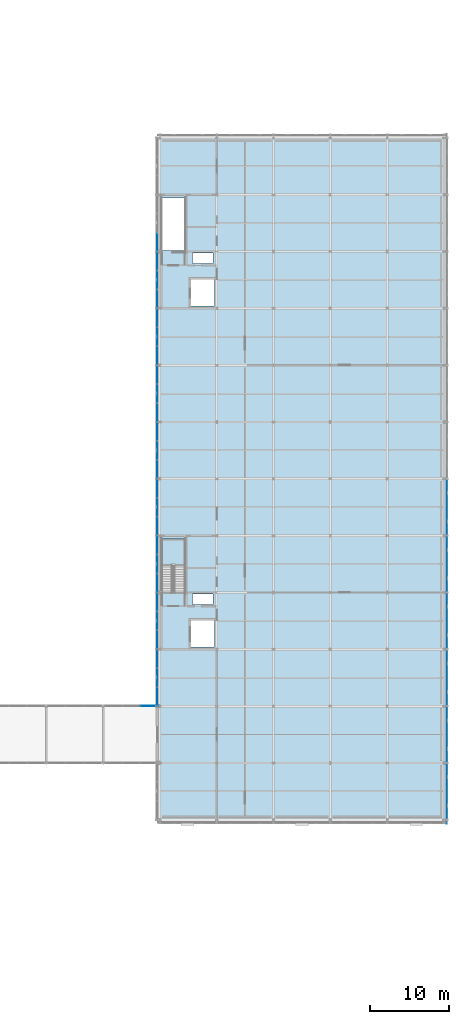
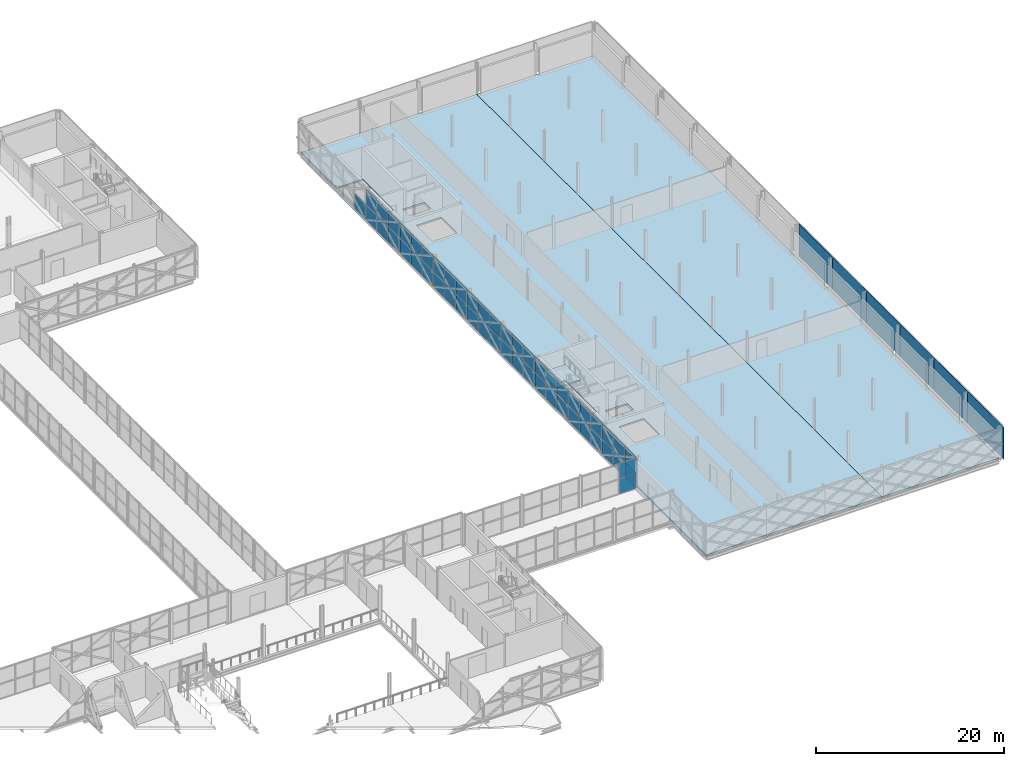
# One storey, part 95 of 146: 57 plates, 3 slabs, 11 elements without a shape of their own.
"""IFC4 building model written with IfcOpenShell, lengths in metres."""

from ifc_helpers import new_model, si_unit, direction, frame, origin, origin_2d, place, context, subcontext, project, spatial, polyline, rectangle, outline, extrude, material, layer, layer_set, type_object, element, aggregate, save


model = new_model("IFC4")

# Units and contexts
model_context = context("Model", 3, precision=1e-05, world=origin(), true_north=direction((0.0, 1.0)))
body_context = subcontext(model_context, "Body", "Model", "MODEL_VIEW")
ifc_project = project(units=[si_unit("LENGTHUNIT", "METRE"), si_unit("AREAUNIT", "SQUARE_METRE"), si_unit("VOLUMEUNIT", "CUBIC_METRE"), si_unit("PLANEANGLEUNIT", "RADIAN"), si_unit("MASSUNIT", "GRAM", prefix="KILO")], contexts=[model_context])

# Site, building, storey
site_placement = place(None, origin())
site = spatial("IfcSite", under=ifc_project, at=site_placement, CompositionType="ELEMENT")
building_placement = place(site_placement, origin())
building = spatial("IfcBuilding", under=site, at=building_placement, Name="Zlatovets Crest Museum", CompositionType="ELEMENT")
storey_placement = place(building_placement, frame((0.0, 0.0, 4.5)))
storey = spatial("IfcBuildingStorey", under=building, at=storey_placement, Name="L01", CompositionType="ELEMENT", Elevation=4.5)

# Curtain wall, plates
ifc_material_1 = material(Name="Bronze-anodised aluminium and low-E triple glass", Category="aluminium")
curtain_wall_type_1 = type_object("IfcCurtainWallType", Name="CW_CW-BR4-L01-S69", PredefinedType="NOTDEFINED", material=ifc_material_1)
curtain_wall_1_placement = place(storey_placement, origin())
curtain_wall_1 = element("IfcCurtainWall", 1, at=curtain_wall_1_placement, inside=storey, type_object=curtain_wall_type_1, Name="Southeast Archive Glazed Link Bridge L01 Glazed Bridge Curtain Wall", PredefinedType="NOTDEFINED")
ifc_material_2 = material(Name="Solar-control low-E laminated triple glass", Category="glass")
ifc_layer_1 = layer(ifc_material_2, 0.030029296875)
ifc_layer_set_1 = layer_set([ifc_layer_1], Name="Solar-control low-E laminated triple glass")
plate_type_1 = type_object("IfcPlateType", Name="CWPanel_CW-BR4-L01-S69", PredefinedType="CURTAIN_PANEL", material=ifc_layer_set_1)
plate_1_placement = place(storey_placement, frame((128.284912109375, 28.800048828125, 0.06005859375), z_axis=(0.0, 0.0, 1.0), x_axis=(1.0, 0.0, 0.0)))
plate_1 = element("IfcPlate", 2, at=plate_1_placement, type_object=plate_type_1, Name="CW-BR4-L01-S69 panel 3.1", PredefinedType="CURTAIN_PANEL", context=body_context, shape_type="SweptSolid", body=[
    extrude(rectangle(XDim=2.2099609375, YDim=0.030029296875, at=origin_2d()), origin(), (0.0, 0.0, 1.0), 1.89990234375),
])
plate_2_placement = place(storey_placement, frame((128.284912109375, 28.800048828125, 2.02001953125), z_axis=(0.0, 0.0, 1.0), x_axis=(1.0, 0.0, 0.0)))
plate_2 = element("IfcPlate", 3, at=plate_2_placement, type_object=plate_type_1, Name="CW-BR4-L01-S69 panel 3.2", PredefinedType="CURTAIN_PANEL", context=body_context, shape_type="SweptSolid", body=[
    extrude(rectangle(XDim=2.2099609375, YDim=0.030029296875, at=origin_2d()), origin(), (0.0, 0.0, 1.0), 1.89990234375),
])
aggregate(curtain_wall_1, [plate_1, plate_2])

curtain_wall_type_2 = type_object("IfcCurtainWallType", Name="CW_CW-V5-L01-M0", PredefinedType="NOTDEFINED", material=ifc_material_1)
curtain_wall_2_placement = place(storey_placement, origin())
curtain_wall_2 = element("IfcCurtainWall", 4, at=curtain_wall_2_placement, inside=storey, type_object=curtain_wall_type_2, Name="V5 L01 Expressed Core Glazed Facade", PredefinedType="NOTDEFINED")
ifc_layer_2 = layer(ifc_material_2, 0.030029296875)
ifc_layer_set_2 = layer_set([ifc_layer_2], Name="Solar-control low-E laminated triple glass")
plate_type_2 = type_object("IfcPlateType", Name="CWPanel_CW-V5-L01-M0", PredefinedType="CURTAIN_PANEL", material=ifc_layer_set_2)
plate_3_placement = place(storey_placement, frame((129.260009765625, 85.18505859375, 0.06005859375), z_axis=(0.0, 0.0, 1.0), x_axis=(0.0, -1.0, 0.0)))
plate_3 = element("IfcPlate", 5, at=plate_3_placement, type_object=plate_type_2, Name="CW-V5-L01-M0 panel 1.1", PredefinedType="CURTAIN_PANEL", context=body_context, shape_type="SweptSolid", body=[
    extrude(rectangle(XDim=2.31005859375, YDim=0.030029296875, at=origin_2d()), origin(), (0.0, 0.0, 1.0), 2.010009765625),
])
plate_4_placement = place(storey_placement, frame((129.260009765625, 85.18505859375, 2.1298828125), z_axis=(0.0, 0.0, 1.0), x_axis=(0.0, -1.0, 0.0)))
plate_4 = element("IfcPlate", 6, at=plate_4_placement, type_object=plate_type_2, Name="CW-V5-L01-M0 panel 1.2", PredefinedType="CURTAIN_PANEL", context=body_context, shape_type="SweptSolid", body=[
    extrude(rectangle(XDim=2.31005859375, YDim=0.030029296875, at=origin_2d()), origin(), (0.0, 0.0, 1.0), 2.010009765625),
])
plate_5_placement = place(storey_placement, frame((129.260009765625, 82.800048828125, 0.06005859375), z_axis=(0.0, 0.0, 1.0), x_axis=(0.0, -1.0, 0.0)))
plate_5 = element("IfcPlate", 7, at=plate_5_placement, type_object=plate_type_2, Name="CW-V5-L01-M0 panel 2.1", PredefinedType="CURTAIN_PANEL", context=body_context, shape_type="SweptSolid", body=[
    extrude(rectangle(XDim=2.340087890625, YDim=0.030029296875, at=origin_2d()), origin(), (0.0, 0.0, 1.0), 2.010009765625),
])
plate_6_placement = place(storey_placement, frame((129.260009765625, 82.800048828125, 2.1298828125), z_axis=(0.0, 0.0, 1.0), x_axis=(0.0, -1.0, 0.0)))
plate_6 = element("IfcPlate", 8, at=plate_6_placement, type_object=plate_type_2, Name="CW-V5-L01-M0 panel 2.2", PredefinedType="CURTAIN_PANEL", context=body_context, shape_type="SweptSolid", body=[
    extrude(rectangle(XDim=2.340087890625, YDim=0.030029296875, at=origin_2d()), origin(), (0.0, 0.0, 1.0), 2.010009765625),
])
plate_7_placement = place(storey_placement, frame((129.260009765625, 80.4150390625, 0.06005859375), z_axis=(0.0, 0.0, 1.0), x_axis=(0.0, -1.0, 0.0)))
plate_7 = element("IfcPlate", 9, at=plate_7_placement, type_object=plate_type_2, Name="CW-V5-L01-M0 panel 3.1", PredefinedType="CURTAIN_PANEL", context=body_context, shape_type="SweptSolid", body=[
    extrude(rectangle(XDim=2.31005859375, YDim=0.030029296875, at=origin_2d()), origin(), (0.0, 0.0, 1.0), 2.010009765625),
])
plate_8_placement = place(storey_placement, frame((129.260009765625, 80.4150390625, 2.1298828125), z_axis=(0.0, 0.0, 1.0), x_axis=(0.0, -1.0, 0.0)))
plate_8 = element("IfcPlate", 10, at=plate_8_placement, type_object=plate_type_2, Name="CW-V5-L01-M0 panel 3.2", PredefinedType="CURTAIN_PANEL", context=body_context, shape_type="SweptSolid", body=[
    extrude(rectangle(XDim=2.31005859375, YDim=0.030029296875, at=origin_2d()), origin(), (0.0, 0.0, 1.0), 2.010009765625),
])
aggregate(curtain_wall_2, [plate_3, plate_4, plate_5, plate_6, plate_7, plate_8])

curtain_wall_3_placement = place(storey_placement, origin())
curtain_wall_3 = element("IfcCurtainWall", 11, at=curtain_wall_3_placement, inside=storey, type_object=curtain_wall_type_2, Name="V5 L01 Secession Foyer Clear Curtain Wall", PredefinedType="NOTDEFINED")
plate_9_placement = place(storey_placement, frame((129.260009765625, 56.385009765625, 0.06005859375), z_axis=(0.0, 0.0, 1.0), x_axis=(0.0, -1.0, 0.0)))
plate_9 = element("IfcPlate", 12, at=plate_9_placement, type_object=plate_type_2, Name="CW-V5-L01-M0 panel 1.1", PredefinedType="CURTAIN_PANEL", context=body_context, shape_type="SweptSolid", body=[
    extrude(rectangle(XDim=2.31005859375, YDim=0.028076171875, at=origin_2d()), origin(), (0.0, 0.0, 1.0), 2.010009765625),
])
plate_10_placement = place(storey_placement, frame((129.260009765625, 56.385009765625, 2.1298828125), z_axis=(0.0, 0.0, 1.0), x_axis=(0.0, -1.0, 0.0)))
plate_10 = element("IfcPlate", 13, at=plate_10_placement, type_object=plate_type_2, Name="CW-V5-L01-M0 panel 1.2", PredefinedType="CURTAIN_PANEL", context=body_context, shape_type="SweptSolid", body=[
    extrude(rectangle(XDim=2.31005859375, YDim=0.028076171875, at=origin_2d()), origin(), (0.0, 0.0, 1.0), 2.010009765625),
])
plate_11_placement = place(storey_placement, frame((129.260009765625, 54.0, 0.06005859375), z_axis=(0.0, 0.0, 1.0), x_axis=(0.0, -1.0, 0.0)))
plate_11 = element("IfcPlate", 14, at=plate_11_placement, type_object=plate_type_2, Name="CW-V5-L01-M0 panel 2.1", PredefinedType="CURTAIN_PANEL", context=body_context, shape_type="SweptSolid", body=[
    extrude(rectangle(XDim=2.340087890625, YDim=0.028076171875, at=origin_2d()), origin(), (0.0, 0.0, 1.0), 2.010009765625),
])
plate_12_placement = place(storey_placement, frame((129.260009765625, 54.0, 2.1298828125), z_axis=(0.0, 0.0, 1.0), x_axis=(0.0, -1.0, 0.0)))
plate_12 = element("IfcPlate", 15, at=plate_12_placement, type_object=plate_type_2, Name="CW-V5-L01-M0 panel 2.2", PredefinedType="CURTAIN_PANEL", context=body_context, shape_type="SweptSolid", body=[
    extrude(rectangle(XDim=2.340087890625, YDim=0.028076171875, at=origin_2d()), origin(), (0.0, 0.0, 1.0), 2.010009765625),
])
plate_13_placement = place(storey_placement, frame((129.260009765625, 51.614990234375, 0.06005859375), z_axis=(0.0, 0.0, 1.0), x_axis=(0.0, -1.0, 0.0)))
plate_13 = element("IfcPlate", 16, at=plate_13_placement, type_object=plate_type_2, Name="CW-V5-L01-M0 panel 3.1", PredefinedType="CURTAIN_PANEL", context=body_context, shape_type="SweptSolid", body=[
    extrude(rectangle(XDim=2.31005859375, YDim=0.028076171875, at=origin_2d()), origin(), (0.0, 0.0, 1.0), 2.010009765625),
])
plate_14_placement = place(storey_placement, frame((129.260009765625, 51.614990234375, 2.1298828125), z_axis=(0.0, 0.0, 1.0), x_axis=(0.0, -1.0, 0.0)))
plate_14 = element("IfcPlate", 17, at=plate_14_placement, type_object=plate_type_2, Name="CW-V5-L01-M0 panel 3.2", PredefinedType="CURTAIN_PANEL", context=body_context, shape_type="SweptSolid", body=[
    extrude(rectangle(XDim=2.31005859375, YDim=0.028076171875, at=origin_2d()), origin(), (0.0, 0.0, 1.0), 2.010009765625),
])
aggregate(curtain_wall_3, [plate_9, plate_10, plate_11, plate_12, plate_13, plate_14])

curtain_wall_type_3 = type_object("IfcCurtainWallType", Name="CW_CW-V5-L01-M1", PredefinedType="NOTDEFINED", material=ifc_material_1)
curtain_wall_4_placement = place(storey_placement, origin())
curtain_wall_4 = element("IfcCurtainWall", 18, at=curtain_wall_4_placement, inside=storey, type_object=curtain_wall_type_3, Name="V5 L01 Secession Foyer Clear Curtain Wall", PredefinedType="NOTDEFINED")
ifc_layer_3 = layer(ifc_material_2, 0.031982421875)
ifc_layer_set_3 = layer_set([ifc_layer_3], Name="Solar-control low-E laminated triple glass")
plate_type_3 = type_object("IfcPlateType", Name="CWPanel_CW-V5-L01-M1", PredefinedType="CURTAIN_PANEL", material=ifc_layer_set_3)
plate_15_placement = place(storey_placement, frame((129.260009765625, 77.985107421875, 0.06005859375), z_axis=(0.0, 0.0, 1.0), x_axis=(0.0, -1.0, 0.0)))
plate_15 = element("IfcPlate", 19, at=plate_15_placement, type_object=plate_type_3, Name="CW-V5-L01-M1 panel 1.1", PredefinedType="CURTAIN_PANEL", context=body_context, shape_type="SweptSolid", body=[
    extrude(rectangle(XDim=2.31005859375, YDim=0.031982421875, at=origin_2d()), origin(), (0.0, 0.0, 1.0), 2.010009765625),
])
plate_16_placement = place(storey_placement, frame((129.260009765625, 77.985107421875, 2.1298828125), z_axis=(0.0, 0.0, 1.0), x_axis=(0.0, -1.0, 0.0)))
plate_16 = element("IfcPlate", 20, at=plate_16_placement, type_object=plate_type_3, Name="CW-V5-L01-M1 panel 1.2", PredefinedType="CURTAIN_PANEL", context=body_context, shape_type="SweptSolid", body=[
    extrude(rectangle(XDim=2.31005859375, YDim=0.031982421875, at=origin_2d()), origin(), (0.0, 0.0, 1.0), 2.010009765625),
])
plate_17_placement = place(storey_placement, frame((129.260009765625, 75.60009765625, 0.06005859375), z_axis=(0.0, 0.0, 1.0), x_axis=(0.0, -1.0, 0.0)))
plate_17 = element("IfcPlate", 21, at=plate_17_placement, type_object=plate_type_3, Name="CW-V5-L01-M1 panel 2.1", PredefinedType="CURTAIN_PANEL", context=body_context, shape_type="SweptSolid", body=[
    extrude(rectangle(XDim=2.340087890625, YDim=0.031982421875, at=origin_2d()), origin(), (0.0, 0.0, 1.0), 2.010009765625),
])
plate_18_placement = place(storey_placement, frame((129.260009765625, 75.60009765625, 2.1298828125), z_axis=(0.0, 0.0, 1.0), x_axis=(0.0, -1.0, 0.0)))
plate_18 = element("IfcPlate", 22, at=plate_18_placement, type_object=plate_type_3, Name="CW-V5-L01-M1 panel 2.2", PredefinedType="CURTAIN_PANEL", context=body_context, shape_type="SweptSolid", body=[
    extrude(rectangle(XDim=2.340087890625, YDim=0.031982421875, at=origin_2d()), origin(), (0.0, 0.0, 1.0), 2.010009765625),
])
plate_19_placement = place(storey_placement, frame((129.260009765625, 73.215087890625, 0.06005859375), z_axis=(0.0, 0.0, 1.0), x_axis=(0.0, -1.0, 0.0)))
plate_19 = element("IfcPlate", 23, at=plate_19_placement, type_object=plate_type_3, Name="CW-V5-L01-M1 panel 3.1", PredefinedType="CURTAIN_PANEL", context=body_context, shape_type="SweptSolid", body=[
    extrude(rectangle(XDim=2.31005859375, YDim=0.031982421875, at=origin_2d()), origin(), (0.0, 0.0, 1.0), 2.010009765625),
])
plate_20_placement = place(storey_placement, frame((129.260009765625, 73.215087890625, 2.1298828125), z_axis=(0.0, 0.0, 1.0), x_axis=(0.0, -1.0, 0.0)))
plate_20 = element("IfcPlate", 24, at=plate_20_placement, type_object=plate_type_3, Name="CW-V5-L01-M1 panel 3.2", PredefinedType="CURTAIN_PANEL", context=body_context, shape_type="SweptSolid", body=[
    extrude(rectangle(XDim=2.31005859375, YDim=0.031982421875, at=origin_2d()), origin(), (0.0, 0.0, 1.0), 2.010009765625),
])
aggregate(curtain_wall_4, [plate_15, plate_16, plate_17, plate_18, plate_19, plate_20])

curtain_wall_5_placement = place(storey_placement, origin())
curtain_wall_5 = element("IfcCurtainWall", 25, at=curtain_wall_5_placement, inside=storey, type_object=curtain_wall_type_3, Name="V5 L01 Expressed Core Glazed Facade", PredefinedType="NOTDEFINED")
plate_21_placement = place(storey_placement, frame((129.260009765625, 49.18505859375, 0.06005859375), z_axis=(0.0, 0.0, 1.0), x_axis=(0.0, -1.0, 0.0)))
plate_21 = element("IfcPlate", 26, at=plate_21_placement, type_object=plate_type_3, Name="CW-V5-L01-M1 panel 1.1", PredefinedType="CURTAIN_PANEL", context=body_context, shape_type="SweptSolid", body=[
    extrude(rectangle(XDim=2.31005859375, YDim=0.030029296875, at=origin_2d()), origin(), (0.0, 0.0, 1.0), 2.010009765625),
])
plate_22_placement = place(storey_placement, frame((129.260009765625, 49.18505859375, 2.1298828125), z_axis=(0.0, 0.0, 1.0), x_axis=(0.0, -1.0, 0.0)))
plate_22 = element("IfcPlate", 27, at=plate_22_placement, type_object=plate_type_3, Name="CW-V5-L01-M1 panel 1.2", PredefinedType="CURTAIN_PANEL", context=body_context, shape_type="SweptSolid", body=[
    extrude(rectangle(XDim=2.31005859375, YDim=0.030029296875, at=origin_2d()), origin(), (0.0, 0.0, 1.0), 2.010009765625),
])
plate_23_placement = place(storey_placement, frame((129.260009765625, 46.800048828125, 0.06005859375), z_axis=(0.0, 0.0, 1.0), x_axis=(0.0, -1.0, 0.0)))
plate_23 = element("IfcPlate", 28, at=plate_23_placement, type_object=plate_type_3, Name="CW-V5-L01-M1 panel 2.1", PredefinedType="CURTAIN_PANEL", context=body_context, shape_type="SweptSolid", body=[
    extrude(rectangle(XDim=2.340087890625, YDim=0.030029296875, at=origin_2d()), origin(), (0.0, 0.0, 1.0), 2.010009765625),
])
plate_24_placement = place(storey_placement, frame((129.260009765625, 46.800048828125, 2.1298828125), z_axis=(0.0, 0.0, 1.0), x_axis=(0.0, -1.0, 0.0)))
plate_24 = element("IfcPlate", 29, at=plate_24_placement, type_object=plate_type_3, Name="CW-V5-L01-M1 panel 2.2", PredefinedType="CURTAIN_PANEL", context=body_context, shape_type="SweptSolid", body=[
    extrude(rectangle(XDim=2.340087890625, YDim=0.030029296875, at=origin_2d()), origin(), (0.0, 0.0, 1.0), 2.010009765625),
])
plate_25_placement = place(storey_placement, frame((129.260009765625, 44.4150390625, 0.06005859375), z_axis=(0.0, 0.0, 1.0), x_axis=(0.0, -1.0, 0.0)))
plate_25 = element("IfcPlate", 30, at=plate_25_placement, type_object=plate_type_3, Name="CW-V5-L01-M1 panel 3.1", PredefinedType="CURTAIN_PANEL", context=body_context, shape_type="SweptSolid", body=[
    extrude(rectangle(XDim=2.31005859375, YDim=0.030029296875, at=origin_2d()), origin(), (0.0, 0.0, 1.0), 2.010009765625),
])
plate_26_placement = place(storey_placement, frame((129.260009765625, 44.4150390625, 2.1298828125), z_axis=(0.0, 0.0, 1.0), x_axis=(0.0, -1.0, 0.0)))
plate_26 = element("IfcPlate", 31, at=plate_26_placement, type_object=plate_type_3, Name="CW-V5-L01-M1 panel 3.2", PredefinedType="CURTAIN_PANEL", context=body_context, shape_type="SweptSolid", body=[
    extrude(rectangle(XDim=2.31005859375, YDim=0.030029296875, at=origin_2d()), origin(), (0.0, 0.0, 1.0), 2.010009765625),
])
aggregate(curtain_wall_5, [plate_21, plate_22, plate_23, plate_24, plate_25, plate_26])

curtain_wall_type_4 = type_object("IfcCurtainWallType", Name="CW_CW-V5-L01-M2", PredefinedType="NOTDEFINED", material=ifc_material_1)
curtain_wall_6_placement = place(storey_placement, origin())
curtain_wall_6 = element("IfcCurtainWall", 32, at=curtain_wall_6_placement, inside=storey, type_object=curtain_wall_type_4, Name="V5 L01 Secession Foyer Clear Curtain Wall", PredefinedType="NOTDEFINED")
ifc_layer_4 = layer(ifc_material_2, 0.035888671875)
ifc_layer_set_4 = layer_set([ifc_layer_4], Name="Solar-control low-E laminated triple glass")
plate_type_4 = type_object("IfcPlateType", Name="CWPanel_CW-V5-L01-M2", PredefinedType="CURTAIN_PANEL", material=ifc_layer_set_4)
plate_27_placement = place(storey_placement, frame((129.260009765625, 70.784912109375, 0.06005859375), z_axis=(0.0, 0.0, 1.0), x_axis=(0.0, -1.0, 0.0)))
plate_27 = element("IfcPlate", 33, at=plate_27_placement, type_object=plate_type_4, Name="CW-V5-L01-M2 panel 1.1", PredefinedType="CURTAIN_PANEL", context=body_context, shape_type="SweptSolid", body=[
    extrude(rectangle(XDim=2.31005859375, YDim=0.035888671875, at=origin_2d()), origin(), (0.0, 0.0, 1.0), 2.010009765625),
])
plate_28_placement = place(storey_placement, frame((129.260009765625, 70.784912109375, 2.1298828125), z_axis=(0.0, 0.0, 1.0), x_axis=(0.0, -1.0, 0.0)))
plate_28 = element("IfcPlate", 34, at=plate_28_placement, type_object=plate_type_4, Name="CW-V5-L01-M2 panel 1.2", PredefinedType="CURTAIN_PANEL", context=body_context, shape_type="SweptSolid", body=[
    extrude(rectangle(XDim=2.31005859375, YDim=0.035888671875, at=origin_2d()), origin(), (0.0, 0.0, 1.0), 2.010009765625),
])
plate_29_placement = place(storey_placement, frame((129.260009765625, 68.39990234375, 0.06005859375), z_axis=(0.0, 0.0, 1.0), x_axis=(0.0, -1.0, 0.0)))
plate_29 = element("IfcPlate", 35, at=plate_29_placement, type_object=plate_type_4, Name="CW-V5-L01-M2 panel 2.1", PredefinedType="CURTAIN_PANEL", context=body_context, shape_type="SweptSolid", body=[
    extrude(rectangle(XDim=2.340087890625, YDim=0.035888671875, at=origin_2d()), origin(), (0.0, 0.0, 1.0), 2.010009765625),
])
plate_30_placement = place(storey_placement, frame((129.260009765625, 68.39990234375, 2.1298828125), z_axis=(0.0, 0.0, 1.0), x_axis=(0.0, -1.0, 0.0)))
plate_30 = element("IfcPlate", 36, at=plate_30_placement, type_object=plate_type_4, Name="CW-V5-L01-M2 panel 2.2", PredefinedType="CURTAIN_PANEL", context=body_context, shape_type="SweptSolid", body=[
    extrude(rectangle(XDim=2.340087890625, YDim=0.035888671875, at=origin_2d()), origin(), (0.0, 0.0, 1.0), 2.010009765625),
])
plate_31_placement = place(storey_placement, frame((129.260009765625, 66.014892578125, 0.06005859375), z_axis=(0.0, 0.0, 1.0), x_axis=(0.0, -1.0, 0.0)))
plate_31 = element("IfcPlate", 37, at=plate_31_placement, type_object=plate_type_4, Name="CW-V5-L01-M2 panel 3.1", PredefinedType="CURTAIN_PANEL", context=body_context, shape_type="SweptSolid", body=[
    extrude(rectangle(XDim=2.31005859375, YDim=0.035888671875, at=origin_2d()), origin(), (0.0, 0.0, 1.0), 2.010009765625),
])
plate_32_placement = place(storey_placement, frame((129.260009765625, 66.014892578125, 2.1298828125), z_axis=(0.0, 0.0, 1.0), x_axis=(0.0, -1.0, 0.0)))
plate_32 = element("IfcPlate", 38, at=plate_32_placement, type_object=plate_type_4, Name="CW-V5-L01-M2 panel 3.2", PredefinedType="CURTAIN_PANEL", context=body_context, shape_type="SweptSolid", body=[
    extrude(rectangle(XDim=2.31005859375, YDim=0.035888671875, at=origin_2d()), origin(), (0.0, 0.0, 1.0), 2.010009765625),
])
aggregate(curtain_wall_6, [plate_27, plate_28, plate_29, plate_30, plate_31, plate_32])

curtain_wall_7_placement = place(storey_placement, origin())
curtain_wall_7 = element("IfcCurtainWall", 39, at=curtain_wall_7_placement, inside=storey, type_object=curtain_wall_type_4, Name="V5 L01 Expressed Core Glazed Facade", PredefinedType="NOTDEFINED")
plate_33_placement = place(storey_placement, frame((129.260009765625, 41.985107421875, 0.06005859375), z_axis=(0.0, 0.0, 1.0), x_axis=(0.0, -1.0, 0.0)))
plate_33 = element("IfcPlate", 40, at=plate_33_placement, type_object=plate_type_4, Name="CW-V5-L01-M2 panel 1.1", PredefinedType="CURTAIN_PANEL", context=body_context, shape_type="SweptSolid", body=[
    extrude(rectangle(XDim=2.31005859375, YDim=0.030029296875, at=origin_2d()), origin(), (0.0, 0.0, 1.0), 2.010009765625),
])
plate_34_placement = place(storey_placement, frame((129.260009765625, 41.985107421875, 2.1298828125), z_axis=(0.0, 0.0, 1.0), x_axis=(0.0, -1.0, 0.0)))
plate_34 = element("IfcPlate", 41, at=plate_34_placement, type_object=plate_type_4, Name="CW-V5-L01-M2 panel 1.2", PredefinedType="CURTAIN_PANEL", context=body_context, shape_type="SweptSolid", body=[
    extrude(rectangle(XDim=2.31005859375, YDim=0.030029296875, at=origin_2d()), origin(), (0.0, 0.0, 1.0), 2.010009765625),
])
plate_35_placement = place(storey_placement, frame((129.260009765625, 39.60009765625, 0.06005859375), z_axis=(0.0, 0.0, 1.0), x_axis=(0.0, -1.0, 0.0)))
plate_35 = element("IfcPlate", 42, at=plate_35_placement, type_object=plate_type_4, Name="CW-V5-L01-M2 panel 2.1", PredefinedType="CURTAIN_PANEL", context=body_context, shape_type="SweptSolid", body=[
    extrude(rectangle(XDim=2.340087890625, YDim=0.030029296875, at=origin_2d()), origin(), (0.0, 0.0, 1.0), 2.010009765625),
])
plate_36_placement = place(storey_placement, frame((129.260009765625, 39.60009765625, 2.1298828125), z_axis=(0.0, 0.0, 1.0), x_axis=(0.0, -1.0, 0.0)))
plate_36 = element("IfcPlate", 43, at=plate_36_placement, type_object=plate_type_4, Name="CW-V5-L01-M2 panel 2.2", PredefinedType="CURTAIN_PANEL", context=body_context, shape_type="SweptSolid", body=[
    extrude(rectangle(XDim=2.340087890625, YDim=0.030029296875, at=origin_2d()), origin(), (0.0, 0.0, 1.0), 2.010009765625),
])
plate_37_placement = place(storey_placement, frame((129.260009765625, 37.215087890625, 0.06005859375), z_axis=(0.0, 0.0, 1.0), x_axis=(0.0, -1.0, 0.0)))
plate_37 = element("IfcPlate", 44, at=plate_37_placement, type_object=plate_type_4, Name="CW-V5-L01-M2 panel 3.1", PredefinedType="CURTAIN_PANEL", context=body_context, shape_type="SweptSolid", body=[
    extrude(rectangle(XDim=2.31005859375, YDim=0.030029296875, at=origin_2d()), origin(), (0.0, 0.0, 1.0), 2.010009765625),
])
plate_38_placement = place(storey_placement, frame((129.260009765625, 37.215087890625, 2.1298828125), z_axis=(0.0, 0.0, 1.0), x_axis=(0.0, -1.0, 0.0)))
plate_38 = element("IfcPlate", 45, at=plate_38_placement, type_object=plate_type_4, Name="CW-V5-L01-M2 panel 3.2", PredefinedType="CURTAIN_PANEL", context=body_context, shape_type="SweptSolid", body=[
    extrude(rectangle(XDim=2.31005859375, YDim=0.030029296875, at=origin_2d()), origin(), (0.0, 0.0, 1.0), 2.010009765625),
])
aggregate(curtain_wall_7, [plate_33, plate_34, plate_35, plate_36, plate_37, plate_38])

# Curtain wall, plate
curtain_wall_type_5 = type_object("IfcCurtainWallType", Name="CW_CW-V5-L01-M3", PredefinedType="NOTDEFINED", material=ifc_material_1)
curtain_wall_8_placement = place(storey_placement, origin())
curtain_wall_8 = element("IfcCurtainWall", 46, at=curtain_wall_8_placement, inside=storey, type_object=curtain_wall_type_5, Name="V5 L01 Expressed Core Glazed Facade", PredefinedType="NOTDEFINED")
ifc_layer_5 = layer(ifc_material_2, 0.030029296875)
ifc_layer_set_5 = layer_set([ifc_layer_5], Name="Solar-control low-E laminated triple glass")
plate_type_5 = type_object("IfcPlateType", Name="CWPanel_CW-V5-L01-M3", PredefinedType="CURTAIN_PANEL", material=ifc_layer_set_5)
plate_39_placement = place(storey_placement, frame((129.260009765625, 87.614990234375, 0.06005859375), z_axis=(0.0, 0.0, 1.0), x_axis=(0.0, -1.0, 0.0)))
plate_39 = element("IfcPlate", 47, at=plate_39_placement, type_object=plate_type_5, Name="CW-V5-L01-M3 panel 3.1", PredefinedType="CURTAIN_PANEL", context=body_context, shape_type="SweptSolid", body=[
    extrude(rectangle(XDim=2.31005859375, YDim=0.030029296875, at=origin_2d()), origin(), (0.0, 0.0, 1.0), 2.010009765625),
])
aggregate(curtain_wall_8, [plate_39])

# Curtain wall, plates
curtain_wall_9_placement = place(storey_placement, origin())
curtain_wall_9 = element("IfcCurtainWall", 48, at=curtain_wall_9_placement, inside=storey, type_object=curtain_wall_type_5, Name="V5 L01 Secession Foyer Clear Curtain Wall", PredefinedType="NOTDEFINED")
plate_40_placement = place(storey_placement, frame((129.260009765625, 63.5849609375, 0.06005859375), z_axis=(0.0, 0.0, 1.0), x_axis=(0.0, -1.0, 0.0)))
plate_40 = element("IfcPlate", 49, at=plate_40_placement, type_object=plate_type_5, Name="CW-V5-L01-M3 panel 1.1", PredefinedType="CURTAIN_PANEL", context=body_context, shape_type="SweptSolid", body=[
    extrude(rectangle(XDim=2.31005859375, YDim=0.0400390625, at=origin_2d()), origin(), (0.0, 0.0, 1.0), 2.010009765625),
])
plate_41_placement = place(storey_placement, frame((129.260009765625, 63.5849609375, 2.1298828125), z_axis=(0.0, 0.0, 1.0), x_axis=(0.0, -1.0, 0.0)))
plate_41 = element("IfcPlate", 50, at=plate_41_placement, type_object=plate_type_5, Name="CW-V5-L01-M3 panel 1.2", PredefinedType="CURTAIN_PANEL", context=body_context, shape_type="SweptSolid", body=[
    extrude(rectangle(XDim=2.31005859375, YDim=0.0400390625, at=origin_2d()), origin(), (0.0, 0.0, 1.0), 2.010009765625),
])
plate_42_placement = place(storey_placement, frame((129.260009765625, 61.199951171875, 0.06005859375), z_axis=(0.0, 0.0, 1.0), x_axis=(0.0, -1.0, 0.0)))
plate_42 = element("IfcPlate", 51, at=plate_42_placement, type_object=plate_type_5, Name="CW-V5-L01-M3 panel 2.1", PredefinedType="CURTAIN_PANEL", context=body_context, shape_type="SweptSolid", body=[
    extrude(rectangle(XDim=2.340087890625, YDim=0.0400390625, at=origin_2d()), origin(), (0.0, 0.0, 1.0), 2.010009765625),
])
plate_43_placement = place(storey_placement, frame((129.260009765625, 61.199951171875, 2.1298828125), z_axis=(0.0, 0.0, 1.0), x_axis=(0.0, -1.0, 0.0)))
plate_43 = element("IfcPlate", 52, at=plate_43_placement, type_object=plate_type_5, Name="CW-V5-L01-M3 panel 2.2", PredefinedType="CURTAIN_PANEL", context=body_context, shape_type="SweptSolid", body=[
    extrude(rectangle(XDim=2.340087890625, YDim=0.0400390625, at=origin_2d()), origin(), (0.0, 0.0, 1.0), 2.010009765625),
])
plate_44_placement = place(storey_placement, frame((129.260009765625, 58.81494140625, 0.06005859375), z_axis=(0.0, 0.0, 1.0), x_axis=(0.0, -1.0, 0.0)))
plate_44 = element("IfcPlate", 53, at=plate_44_placement, type_object=plate_type_5, Name="CW-V5-L01-M3 panel 3.1", PredefinedType="CURTAIN_PANEL", context=body_context, shape_type="SweptSolid", body=[
    extrude(rectangle(XDim=2.31005859375, YDim=0.0400390625, at=origin_2d()), origin(), (0.0, 0.0, 1.0), 2.010009765625),
])
plate_45_placement = place(storey_placement, frame((129.260009765625, 58.81494140625, 2.1298828125), z_axis=(0.0, 0.0, 1.0), x_axis=(0.0, -1.0, 0.0)))
plate_45 = element("IfcPlate", 54, at=plate_45_placement, type_object=plate_type_5, Name="CW-V5-L01-M3 panel 3.2", PredefinedType="CURTAIN_PANEL", context=body_context, shape_type="SweptSolid", body=[
    extrude(rectangle(XDim=2.31005859375, YDim=0.0400390625, at=origin_2d()), origin(), (0.0, 0.0, 1.0), 2.010009765625),
])
aggregate(curtain_wall_9, [plate_40, plate_41, plate_42, plate_43, plate_44, plate_45])

curtain_wall_10_placement = place(storey_placement, origin())
curtain_wall_10 = element("IfcCurtainWall", 55, at=curtain_wall_10_placement, inside=storey, type_object=curtain_wall_type_5, Name="V5 L01 Secession Foyer Clear Curtain Wall", PredefinedType="NOTDEFINED")
plate_46_placement = place(storey_placement, frame((129.260009765625, 34.784912109375, 0.06005859375), z_axis=(0.0, 0.0, 1.0), x_axis=(0.0, -1.0, 0.0)))
plate_46 = element("IfcPlate", 56, at=plate_46_placement, type_object=plate_type_5, Name="CW-V5-L01-M3 panel 1.1", PredefinedType="CURTAIN_PANEL", context=body_context, shape_type="SweptSolid", body=[
    extrude(rectangle(XDim=2.31005859375, YDim=0.0400390625, at=origin_2d()), origin(), (0.0, 0.0, 1.0), 2.010009765625),
])
plate_47_placement = place(storey_placement, frame((129.260009765625, 34.784912109375, 2.1298828125), z_axis=(0.0, 0.0, 1.0), x_axis=(0.0, -1.0, 0.0)))
plate_47 = element("IfcPlate", 57, at=plate_47_placement, type_object=plate_type_5, Name="CW-V5-L01-M3 panel 1.2", PredefinedType="CURTAIN_PANEL", context=body_context, shape_type="SweptSolid", body=[
    extrude(rectangle(XDim=2.31005859375, YDim=0.0400390625, at=origin_2d()), origin(), (0.0, 0.0, 1.0), 2.010009765625),
])
plate_48_placement = place(storey_placement, frame((129.260009765625, 32.39990234375, 0.06005859375), z_axis=(0.0, 0.0, 1.0), x_axis=(0.0, -1.0, 0.0)))
plate_48 = element("IfcPlate", 58, at=plate_48_placement, type_object=plate_type_5, Name="CW-V5-L01-M3 panel 2.1", PredefinedType="CURTAIN_PANEL", context=body_context, shape_type="SweptSolid", body=[
    extrude(rectangle(XDim=2.340087890625, YDim=0.0400390625, at=origin_2d()), origin(), (0.0, 0.0, 1.0), 2.010009765625),
])
plate_49_placement = place(storey_placement, frame((129.260009765625, 32.39990234375, 2.1298828125), z_axis=(0.0, 0.0, 1.0), x_axis=(0.0, -1.0, 0.0)))
plate_49 = element("IfcPlate", 59, at=plate_49_placement, type_object=plate_type_5, Name="CW-V5-L01-M3 panel 2.2", PredefinedType="CURTAIN_PANEL", context=body_context, shape_type="SweptSolid", body=[
    extrude(rectangle(XDim=2.340087890625, YDim=0.0400390625, at=origin_2d()), origin(), (0.0, 0.0, 1.0), 2.010009765625),
])
plate_50_placement = place(storey_placement, frame((129.260009765625, 30.014892578125, 0.06005859375), z_axis=(0.0, 0.0, 1.0), x_axis=(0.0, -1.0, 0.0)))
plate_50 = element("IfcPlate", 60, at=plate_50_placement, type_object=plate_type_5, Name="CW-V5-L01-M3 panel 3.1", PredefinedType="CURTAIN_PANEL", context=body_context, shape_type="SweptSolid", body=[
    extrude(rectangle(XDim=2.31005859375, YDim=0.0400390625, at=origin_2d()), origin(), (0.0, 0.0, 1.0), 2.010009765625),
])
plate_51_placement = place(storey_placement, frame((129.260009765625, 30.014892578125, 2.1298828125), z_axis=(0.0, 0.0, 1.0), x_axis=(0.0, -1.0, 0.0)))
plate_51 = element("IfcPlate", 61, at=plate_51_placement, type_object=plate_type_5, Name="CW-V5-L01-M3 panel 3.2", PredefinedType="CURTAIN_PANEL", context=body_context, shape_type="SweptSolid", body=[
    extrude(rectangle(XDim=2.31005859375, YDim=0.0400390625, at=origin_2d()), origin(), (0.0, 0.0, 1.0), 2.010009765625),
])
aggregate(curtain_wall_10, [plate_46, plate_47, plate_48, plate_49, plate_50, plate_51])

# Plates
ifc_material_3 = material(Name="Ceramic-fritted low-E laminated architectural glass", Category="glass")
ifc_layer_6 = layer(ifc_material_3, 0.031982421875)
ifc_layer_set_6 = layer_set([ifc_layer_6], Name="Ceramic-fritted low-E laminated architectural glass")
plate_type_6 = type_object("IfcPlateType", Name="GlazedSpandrel_GSP1", PredefinedType="USERDEFINED", material=ifc_layer_set_6)
plate_52_placement = place(storey_placement, frame((165.93994140625, 17.760009765625, 0.0), z_axis=(0.0, 0.0, 1.0), x_axis=(0.0, 1.0, 0.0)))
element("IfcPlate", 62, at=plate_52_placement, inside=storey, type_object=plate_type_6, Name="V5 L01 Ceramic-Fritted Gallery Glass Skin", ObjectType="GLAZED_SPANDREL", PredefinedType="USERDEFINED", context=body_context, shape_type="SweptSolid", body=[
    extrude(rectangle(XDim=7.679931640625, YDim=0.031982421875, at=origin_2d()), origin(), (0.0, 0.0, 1.0), 4.199951171875),
])
for number, where, z_axis, x_axis, name in (
    (63, (165.93994140625, 25.199951171875, 0.0), (0.0, 0.0, 1.0), (0.0, 1.0, 0.0), "V5 L01 Ceramic-Fritted Gallery Glass Skin"),
    (64, (165.93994140625, 32.39990234375, 0.0), (0.0, 0.0, 1.0), (0.0, 1.0, 0.0), "V5 L01 Ceramic-Fritted Gallery Glass Skin"),
    (65, (165.93994140625, 39.60009765625, 0.0), (0.0, 0.0, 1.0), (0.0, 1.0, 0.0), "V5 L01 Ceramic-Fritted Gallery Glass Skin"),
    (66, (165.93994140625, 46.800048828125, 0.0), (0.0, 0.0, 1.0), (0.0, 1.0, 0.0), "V5 L01 Ceramic-Fritted Gallery Glass Skin"),
    (67, (165.93994140625, 54.0, 0.0), (0.0, 0.0, 1.0), (0.0, 1.0, 0.0), "V5 L01 Ceramic-Fritted Gallery Glass Skin"),
):
    element("IfcPlate", number, at=place(storey_placement, frame(where, z_axis=z_axis, x_axis=x_axis)), inside=storey, type_object=plate_type_6, Name=name, ObjectType="GLAZED_SPANDREL", PredefinedType="USERDEFINED", context=body_context, shape_type="SweptSolid", body=[
        extrude(rectangle(XDim=7.199951171875, YDim=0.031982421875, at=origin_2d()), origin(), (0.0, 0.0, 1.0), 4.199951171875),
    ])

# Slabs
ifc_material_4 = material(Name="Concrete C30/37", Category="concrete")
ifc_layer_7 = layer(ifc_material_4, 0.219970703125)
ifc_layer_set_7 = layer_set([ifc_layer_7], Name="Concrete C30/37")
slab_type_1 = type_object("IfcSlabType", Name="Slab_FS-02", PredefinedType="FLOOR", material=ifc_layer_set_7)
slab_1_placement = place(storey_placement, frame((0.0, 0.0, -0.219970703125)))
element("IfcSlab", 68, at=slab_1_placement, inside=storey, type_object=slab_type_1, Name="V5 L01 Structural Slab Panel 1", PredefinedType="FLOOR", context=body_context, shape_type="SweptSolid", body=[
    extrude(outline(polyline([(151.199951171875, 100.800048828125), (151.199951171875, 14.39990234375), (129.60009765625, 14.39990234375), (129.60009765625, 100.800048828125), (151.199951171875, 100.800048828125)]), holes=[polyline([(129.800048828125, 50.0), (129.800048828125, 43.340087890625), (132.800048828125, 43.340087890625), (132.800048828125, 50.0), (129.800048828125, 50.0)]), polyline([(132.800048828125, 93.199951171875), (129.800048828125, 93.199951171875), (129.800048828125, 86.5400390625), (132.800048828125, 86.5400390625), (132.800048828125, 93.199951171875)]), polyline([(136.5, 36.300048828125), (136.5, 39.699951171875), (133.449951171875, 39.699951171875), (133.449951171875, 36.300048828125), (136.5, 36.300048828125)]), polyline([(133.699951171875, 41.64990234375), (136.35009765625, 41.64990234375), (136.35009765625, 43.0), (133.699951171875, 43.0), (133.699951171875, 41.64990234375)]), polyline([(133.449951171875, 82.89990234375), (133.449951171875, 79.5), (136.5, 79.5), (136.5, 82.89990234375), (133.449951171875, 82.89990234375)]), polyline([(136.35009765625, 86.199951171875), (133.699951171875, 86.199951171875), (133.699951171875, 84.85009765625), (136.35009765625, 84.85009765625), (136.35009765625, 86.199951171875)])]), origin(), (0.0, 0.0, 1.0), 0.219970703125),
])
slab_2_placement = place(storey_placement, frame((0.0, 0.0, -0.219970703125)))
element("IfcSlab", 69, at=slab_2_placement, inside=storey, type_object=slab_type_1, Name="V5 L01 Structural Slab Panel 2", PredefinedType="FLOOR", context=body_context, shape_type="SweptSolid", body=[
    extrude(outline(polyline([(151.199951171875, 14.39990234375), (151.199951171875, 100.800048828125), (165.60009765625, 100.800048828125), (165.60009765625, 14.39990234375), (151.199951171875, 14.39990234375)])), origin(), (0.0, 0.0, 1.0), 0.219970703125),
])

# Stair, slab
ifc_material_5 = material(Name="Concrete C35/45", Category="concrete")
stair_type = type_object("IfcStairType", Name="Stair_ST5-26R", PredefinedType="HALF_TURN_STAIR", material=ifc_material_5)
stair_placement = place(storey_placement, origin())
stair = element("IfcStair", 70, at=stair_placement, inside=storey, type_object=stair_type, Name="L01 Core C5 Escape Stair ST5", PredefinedType="HALF_TURN_STAIR")
ifc_layer_8 = layer(ifc_material_5, 0.199951171875)
ifc_layer_set_8 = layer_set([ifc_layer_8], Name="Concrete C35/45")
slab_type_2 = type_object("IfcSlabType", Name="StairLanding_SLD1", PredefinedType="LANDING", material=ifc_layer_set_8)
slab_3_placement = place(storey_placement, frame((0.0, 0.0, 1.89990234375)))
slab_3 = element("IfcSlab", 71, at=slab_3_placement, type_object=slab_type_2, Name="ST5 landing 1", PredefinedType="LANDING", context=body_context, shape_type="SweptSolid", body=[
    extrude(outline(polyline([(132.800048828125, 46.699951171875), (132.800048828125, 50.0), (129.800048828125, 50.0), (129.800048828125, 46.699951171875), (132.800048828125, 46.699951171875)])), origin(), (0.0, 0.0, 1.0), 0.2001953125),
])
aggregate(stair, [slab_3])

save(model, "model.ifc")
